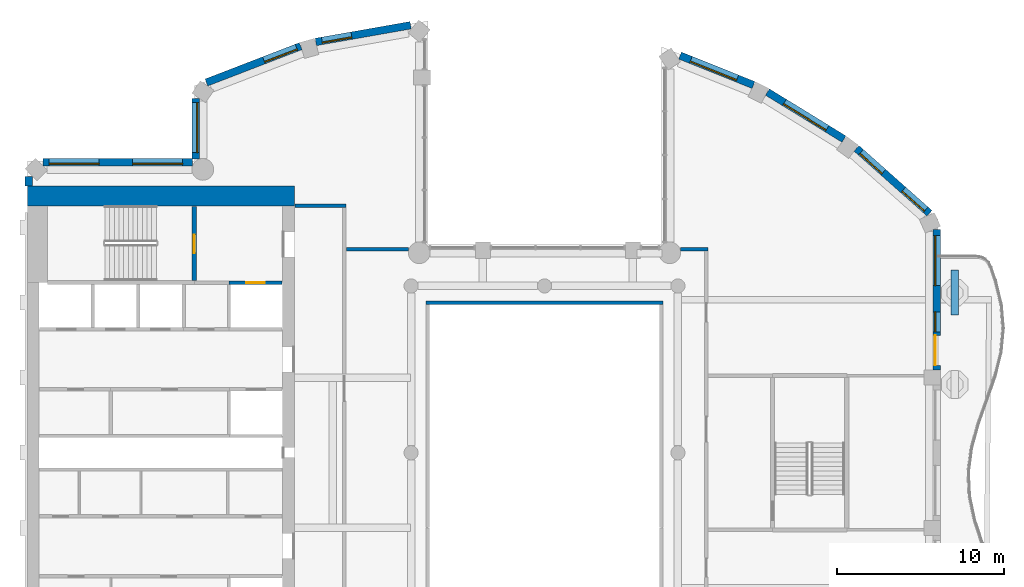
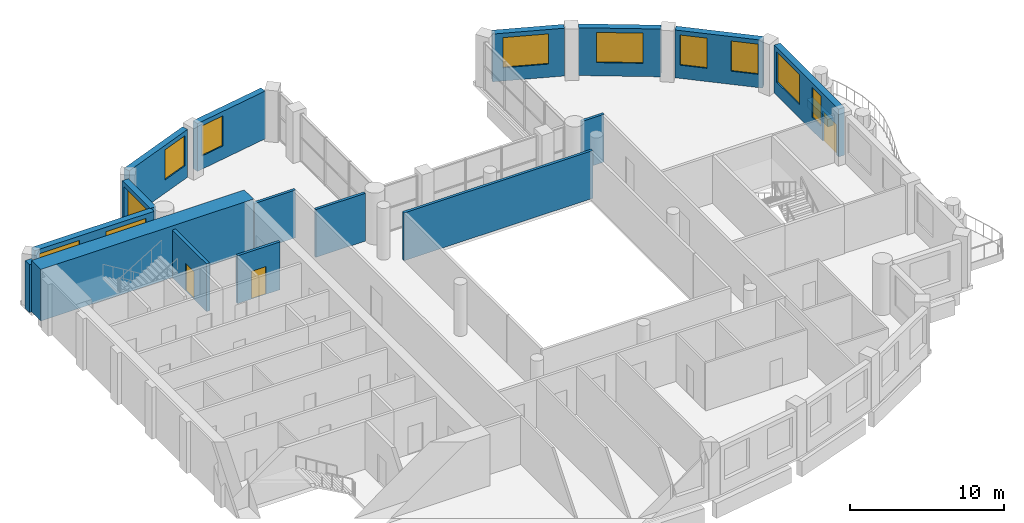
# One storey, part 7 of 14: 17 walls, 11 windows, 3 doors, 14 openings.
"""IFC4 building model written with IfcOpenShell, lengths in metres."""

from ifc_helpers import new_model, si_unit, direction, frame, frame_2d, origin, place, context, subcontext, project, spatial, rectangle, extrude, material, layer, layer_set, type_object, element, fill, save


model = new_model("IFC4")

# Units and contexts
model_context = context("Model", 3, precision=1e-05, world=origin(), true_north=direction((0.0, 1.0)))
body_context = subcontext(model_context, "Body", "Model", "MODEL_VIEW")
ifc_project = project(units=[si_unit("LENGTHUNIT", "METRE"), si_unit("AREAUNIT", "SQUARE_METRE"), si_unit("VOLUMEUNIT", "CUBIC_METRE"), si_unit("PLANEANGLEUNIT", "RADIAN"), si_unit("MASSUNIT", "GRAM", prefix="KILO")], contexts=[model_context])

# Site, building, storey
site_placement = place(None, origin())
site = spatial("IfcSite", under=ifc_project, at=site_placement, CompositionType="ELEMENT")
building_placement = place(site_placement, origin())
building = spatial("IfcBuilding", under=site, at=building_placement, Name="Cypress Arch Tower", CompositionType="ELEMENT")
storey_placement = place(building_placement, frame((0.0, 0.0, 272.10009765625)))
storey = spatial("IfcBuildingStorey", under=building, at=storey_placement, Name="L61", CompositionType="ELEMENT", Elevation=272.10009765625)

# Wall
ifc_material_1 = material(Name="Concrete C40/50, waterproofed", Category="concrete")
ifc_layer_1 = layer(ifc_material_1, 0.449951171875)
ifc_layer_set_1 = layer_set([ifc_layer_1], Name="Balcony planter wall PW450")
wall_type_1 = type_object("IfcWallType", Name="Balcony planter wall PW450", PredefinedType="SOLIDWALL", material=ifc_layer_set_1)
wall_1_placement = place(storey_placement, frame((25.60009765625, 8.25, 0.0), z_axis=(0.0, 0.0, 1.0), x_axis=(0.0, 1.0, 0.0)))
element("IfcWall", 1, at=wall_1_placement, inside=storey, type_object=wall_type_1, Name="Balcony planter wall L61-C17.3", PredefinedType="SOLIDWALL", context=body_context, shape_type="SweptSolid", body=[
    extrude(rectangle(XDim=2.699951171875, YDim=0.449951171875, at=frame_2d((1.35009765625, 0.0))), origin(), (0.0, 0.0, 1.0), 0.599853515625),
])

# Wall, opening, window
ifc_material_2 = material(Name="Brick (red buff blend)", Category="masonry")
ifc_layer_2 = layer(ifc_material_2, 0.449951171875)
ifc_layer_set_2 = layer_set([ifc_layer_2], Name="Brick pier and spandrel wall BW450")
wall_type_2 = type_object("IfcWallType", Name="Brick pier and spandrel wall BW450", PredefinedType="SOLIDWALL", material=ifc_layer_set_2)
wall_2_placement = place(storey_placement, frame((-7.028564453125, 25.63232421875, 0.0), z_axis=(0.0, 0.0, 1.0), x_axis=(-0.984797606634, -0.173705710808, 0.0)))
wall_2 = element("IfcWall", 2, at=wall_2_placement, inside=storey, type_object=wall_type_2, Name="Brick wall L61 C03.0", PredefinedType="SOLIDWALL", context=body_context, shape_type="SweptSolid", body=[
    extrude(rectangle(XDim=5.772216796875, YDim=0.449951171875, at=frame_2d((2.88623046875, 0.0))), origin(), (0.0, 0.0, 1.0), 3.7998046875),
])
opening_1_placement = place(wall_2_placement, frame((3.59326171875, 0.0, 1.050048828125)))
opening_1 = element("IfcOpeningElement", 3, at=opening_1_placement, cuts=wall_2, Name="Opening W180O", PredefinedType="OPENING", context=body_context, shape_type="SweptSolid", body=[
    extrude(rectangle(XDim=1.800048828125, YDim=2.39990234375, at=frame_2d((0.89990234375, 1.199951171875))), frame((0.0, 0.23486328125, 0.0), z_axis=(0.0, -1.0, 0.0), x_axis=(1.0, 0.0, 0.0)), (0.0, 0.0, 1.0), 0.469970703125),
])
ifc_material_3 = material(Name="Anodised aluminium, bronze finish, clear low-emissivity double glazing", Category="aluminium")
window_type_1 = type_object("IfcWindowType", Name="Window Office 1800x2400", PartitioningType="SINGLE_PANEL", PredefinedType="WINDOW", material=ifc_material_3)
window_1_placement = place(opening_1_placement, origin())
window_1 = element("IfcWindow", 4, at=window_1_placement, inside=storey, type_object=window_type_1, Name="Window L61 C03.0.2", OverallHeight=2.39990234375, OverallWidth=1.800048828125, PartitioningType="SINGLE_PANEL", PredefinedType="WINDOW", context=body_context, shape_type="SweptSolid", body=[
    extrude(rectangle(XDim=1.800048828125, YDim=2.39990234375, at=frame_2d((0.89990234375, 1.199951171875))), frame((0.0, 0.135009765625, 0.0), z_axis=(0.0, -1.0, 0.0), x_axis=(1.0, 0.0, 0.0)), (0.0, 0.0, 1.0), 0.06005859375),
])
fill(opening_1, window_1)

wall_3_placement = place(storey_placement, frame((-13.6220703125, 24.376953125, 0.0), z_axis=(0.0, 0.0, 1.0), x_axis=(-0.933129259679, -0.359541075164, 0.0)))
wall_3 = element("IfcWall", 5, at=wall_3_placement, inside=storey, type_object=wall_type_2, Name="Brick wall L61 C04.0", PredefinedType="SOLIDWALL", context=body_context, shape_type="SweptSolid", body=[
    extrude(rectangle(XDim=6.05419921875, YDim=0.449951171875, at=frame_2d((3.027099609375, 0.0))), origin(), (0.0, 0.0, 1.0), 3.7998046875),
])
opening_2_placement = place(wall_3_placement, frame((0.260986328125, 0.0, 1.050048828125)))
opening_2 = element("IfcOpeningElement", 6, at=opening_2_placement, cuts=wall_3, Name="Opening W210O", PredefinedType="OPENING", context=body_context, shape_type="SweptSolid", body=[
    extrude(rectangle(XDim=2.10009765625, YDim=2.39990234375, at=frame_2d((1.050048828125, 1.199951171875))), frame((0.0, 0.23486328125, 0.0), z_axis=(0.0, -1.0, 0.0), x_axis=(1.0, 0.0, 0.0)), (0.0, 0.0, 1.0), 0.469970703125),
])
ifc_material_4 = material(Name="Anodised aluminium, bronze finish, clear low-emissivity double glazing", Category="aluminium")
window_type_2 = type_object("IfcWindowType", Name="Window Office 2100x2400", PartitioningType="SINGLE_PANEL", PredefinedType="WINDOW", material=ifc_material_4)
window_2_placement = place(opening_2_placement, origin())
window_2 = element("IfcWindow", 7, at=window_2_placement, inside=storey, type_object=window_type_2, Name="Window L61 C04.0.1", OverallHeight=2.39990234375, OverallWidth=2.10009765625, PartitioningType="SINGLE_PANEL", PredefinedType="WINDOW", context=body_context, shape_type="SweptSolid", body=[
    extrude(rectangle(XDim=2.10009765625, YDim=2.39990234375, at=frame_2d((1.050048828125, 1.199951171875))), frame((0.0, 0.135009765625, 0.0), z_axis=(0.0, -1.0, 0.0), x_axis=(1.0, 0.0, 0.0)), (0.0, 0.0, 1.0), 0.06005859375),
])
fill(opening_2, window_2)

wall_4_placement = place(storey_placement, frame((-19.925048828125, 21.248291015625, 0.0), z_axis=(0.0, 0.0, 1.0), x_axis=(0.0, -1.0, 0.0)))
wall_4 = element("IfcWall", 8, at=wall_4_placement, inside=storey, type_object=wall_type_2, Name="Brick wall L61 C05.0", PredefinedType="SOLIDWALL", context=body_context, shape_type="SweptSolid", body=[
    extrude(rectangle(XDim=3.646728515625, YDim=0.449951171875, at=frame_2d((1.8232421875, 0.0))), origin(), (0.0, 0.0, 1.0), 3.7998046875),
])
opening_3_placement = place(wall_4_placement, frame((0.251220703125, 0.0, 1.050048828125)))
opening_3 = element("IfcOpeningElement", 9, at=opening_3_placement, cuts=wall_4, Name="Opening W300O", PredefinedType="OPENING", context=body_context, shape_type="SweptSolid", body=[
    extrude(rectangle(XDim=3.0, YDim=2.39990234375, at=frame_2d((1.5, 1.199951171875))), frame((0.0, 0.23486328125, 0.0), z_axis=(0.0, -1.0, 0.0), x_axis=(1.0, 0.0, 0.0)), (0.0, 0.0, 1.0), 0.469970703125),
])
ifc_material_5 = material(Name="Anodised aluminium, bronze finish, clear low-emissivity double glazing", Category="aluminium")
window_type_3 = type_object("IfcWindowType", Name="Window Office 3000x2400", PartitioningType="SINGLE_PANEL", PredefinedType="WINDOW", material=ifc_material_5)
window_3_placement = place(opening_3_placement, origin())
window_3 = element("IfcWindow", 10, at=window_3_placement, inside=storey, type_object=window_type_3, Name="Window L61 C05.0.1", OverallHeight=2.39990234375, OverallWidth=3.0, PartitioningType="SINGLE_PANEL", PredefinedType="WINDOW", context=body_context, shape_type="SweptSolid", body=[
    extrude(rectangle(XDim=3.0, YDim=2.39990234375, at=frame_2d((1.5, 1.199951171875))), frame((0.0, 0.135009765625, 0.0), z_axis=(0.0, -1.0, 0.0), x_axis=(1.0, 0.0, 0.0)), (0.0, 0.0, 1.0), 0.06005859375),
])
fill(opening_3, window_3)

# Wall, openings, windows
wall_5_placement = place(storey_placement, frame((-20.1015625, 17.425048828125, 0.0), z_axis=(0.0, 0.0, 1.0), x_axis=(-1.0, 0.0, 0.0)))
wall_5 = element("IfcWall", 11, at=wall_5_placement, inside=storey, type_object=wall_type_2, Name="Brick wall L61 C06.0", PredefinedType="SOLIDWALL", context=body_context, shape_type="SweptSolid", body=[
    extrude(rectangle(XDim=8.962158203125, YDim=0.449951171875, at=frame_2d((4.48095703125, 0.0))), origin(), (0.0, 0.0, 1.0), 3.7998046875),
])
opening_4_placement = place(wall_5_placement, frame((0.598388671875, 0.0, 1.050048828125)))
opening_4 = element("IfcOpeningElement", 12, at=opening_4_placement, cuts=wall_5, Name="Opening W300O", PredefinedType="OPENING", context=body_context, shape_type="SweptSolid", body=[
    extrude(rectangle(XDim=3.0, YDim=2.39990234375, at=frame_2d((1.5, 1.199951171875))), frame((0.0, 0.23486328125, 0.0), z_axis=(0.0, -1.0, 0.0), x_axis=(1.0, 0.0, 0.0)), (0.0, 0.0, 1.0), 0.469970703125),
])
opening_5_placement = place(wall_5_placement, frame((5.598388671875, 0.0, 1.050048828125)))
opening_5 = element("IfcOpeningElement", 13, at=opening_5_placement, cuts=wall_5, Name="Opening W300O", PredefinedType="OPENING", context=body_context, shape_type="SweptSolid", body=[
    extrude(rectangle(XDim=3.0, YDim=2.39990234375, at=frame_2d((1.5, 1.199951171875))), frame((0.0, 0.23486328125, 0.0), z_axis=(0.0, -1.0, 0.0), x_axis=(1.0, 0.0, 0.0)), (0.0, 0.0, 1.0), 0.469970703125),
])
window_4_placement = place(opening_4_placement, origin())
window_4 = element("IfcWindow", 14, at=window_4_placement, inside=storey, type_object=window_type_3, Name="Window L61 C06.0.1", OverallHeight=2.39990234375, OverallWidth=3.0, PartitioningType="SINGLE_PANEL", PredefinedType="WINDOW", context=body_context, shape_type="SweptSolid", body=[
    extrude(rectangle(XDim=3.0, YDim=2.39990234375, at=frame_2d((1.5, 1.199951171875))), frame((0.0, 0.135009765625, 0.0), z_axis=(0.0, -1.0, 0.0), x_axis=(1.0, 0.0, 0.0)), (0.0, 0.0, 1.0), 0.06005859375),
])
fill(opening_4, window_4)
window_5_placement = place(opening_5_placement, origin())
window_5 = element("IfcWindow", 15, at=window_5_placement, inside=storey, type_object=window_type_3, Name="Window L61 C06.0.2", OverallHeight=2.39990234375, OverallWidth=3.0, PartitioningType="SINGLE_PANEL", PredefinedType="WINDOW", context=body_context, shape_type="SweptSolid", body=[
    extrude(rectangle(XDim=3.0, YDim=2.39990234375, at=frame_2d((1.5, 1.199951171875))), frame((0.0, 0.135009765625, 0.0), z_axis=(0.0, -1.0, 0.0), x_axis=(1.0, 0.0, 0.0)), (0.0, 0.0, 1.0), 0.06005859375),
])
fill(opening_5, window_5)

# Wall
wall_6_placement = place(storey_placement, frame((-29.925048828125, 16.563720703125, 0.0), z_axis=(0.0, 0.0, 1.0), x_axis=(0.0, -1.0, 0.0)))
element("IfcWall", 16, at=wall_6_placement, inside=storey, type_object=wall_type_2, Name="Brick wall L61 C07.0", PredefinedType="SOLIDWALL", context=body_context, shape_type="SweptSolid", body=[
    extrude(rectangle(XDim=0.563720703125, YDim=0.449951171875, at=frame_2d((0.28173828125, 0.0))), origin(), (0.0, 0.0, 1.0), 3.7998046875),
])

# Wall, openings, door, windows
wall_7_placement = place(storey_placement, frame((24.52490234375, 4.949951171875, 0.0), z_axis=(0.0, 0.0, 1.0), x_axis=(0.0, 1.0, 0.0)))
wall_7 = element("IfcWall", 17, at=wall_7_placement, inside=storey, type_object=wall_type_2, Name="Brick wall L61 C17.2", PredefinedType="SOLIDWALL", context=body_context, shape_type="SweptSolid", body=[
    extrude(rectangle(XDim=8.421875, YDim=0.449951171875, at=frame_2d((4.2109375, 0.0))), origin(), (0.0, 0.0, 1.0), 3.7998046875),
])
opening_6_placement = place(wall_7_placement, frame((0.291259765625, 0.0, 0.0)))
opening_6 = element("IfcOpeningElement", 18, at=opening_6_placement, cuts=wall_7, Name="Opening D-L61-C17.2.1", PredefinedType="OPENING", context=body_context, shape_type="SweptSolid", body=[
    extrude(rectangle(XDim=1.800048828125, YDim=2.39990234375, at=frame_2d((0.89990234375, 1.199951171875))), frame((0.0, 0.23486328125, 0.0), z_axis=(0.0, -1.0, 0.0), x_axis=(1.0, 0.0, 0.0)), (0.0, 0.0, 1.0), 0.469970703125),
])
opening_7_placement = place(wall_7_placement, frame((2.291259765625, 0.0, 1.050048828125)))
opening_7 = element("IfcOpeningElement", 19, at=opening_7_placement, cuts=wall_7, Name="Opening W120OD", PredefinedType="OPENING", context=body_context, shape_type="SweptSolid", body=[
    extrude(rectangle(XDim=1.199951171875, YDim=2.39990234375, at=frame_2d((0.60009765625, 1.199951171875))), frame((0.0, 0.23486328125, 0.0), z_axis=(0.0, -1.0, 0.0), x_axis=(1.0, 0.0, 0.0)), (0.0, 0.0, 1.0), 0.469970703125),
])
opening_8_placement = place(wall_7_placement, frame((5.073974609375, 0.0, 1.050048828125)))
opening_8 = element("IfcOpeningElement", 20, at=opening_8_placement, cuts=wall_7, Name="Opening W300OD", PredefinedType="OPENING", context=body_context, shape_type="SweptSolid", body=[
    extrude(rectangle(XDim=3.0, YDim=2.39990234375, at=frame_2d((1.5, 1.199951171875))), frame((0.0, 0.23486328125, 0.0), z_axis=(0.0, -1.0, 0.0), x_axis=(1.0, 0.0, 0.0)), (0.0, 0.0, 1.0), 0.469970703125),
])
ifc_material_6 = material(Name="Anodised aluminium, bronze finish, laminated low-emissivity double glazing, large-missile impact rated", Category="aluminium")
door_type_1 = type_object("IfcDoorType", Name="Balcony sliding door 1800x2400", OperationType="SLIDING_TO_LEFT", PredefinedType="DOOR", material=ifc_material_6)
door_1_placement = place(opening_6_placement, origin())
door_1 = element("IfcDoor", 21, at=door_1_placement, inside=storey, type_object=door_type_1, Name="Balcony door L61 C17.2.1", OperationType="SLIDING_TO_LEFT", OverallHeight=2.39990234375, OverallWidth=1.800048828125, PredefinedType="DOOR", context=body_context, shape_type="SweptSolid", body=[
    extrude(rectangle(XDim=1.800048828125, YDim=2.39990234375, at=frame_2d((0.89990234375, 1.199951171875))), frame((0.0, 0.1298828125, 0.0), z_axis=(0.0, -1.0, 0.0), x_axis=(1.0, 0.0, 0.0)), (0.0, 0.0, 1.0), 0.050048828125),
])
fill(opening_6, door_1)
ifc_material_7 = material(Name="Anodised aluminium, bronze finish, laminated low-emissivity double glazing, large-missile impact rated", Category="aluminium")
window_type_4 = type_object("IfcWindowType", Name="Window Office 1200x2400 debris-rated", PartitioningType="SINGLE_PANEL", PredefinedType="WINDOW", material=ifc_material_7)
window_6_placement = place(opening_7_placement, origin())
window_6 = element("IfcWindow", 22, at=window_6_placement, inside=storey, type_object=window_type_4, Name="Window L61 C17.2.1", OverallHeight=2.39990234375, OverallWidth=1.199951171875, PartitioningType="SINGLE_PANEL", PredefinedType="WINDOW", context=body_context, shape_type="SweptSolid", body=[
    extrude(rectangle(XDim=1.199951171875, YDim=2.39990234375, at=frame_2d((0.60009765625, 1.199951171875))), frame((0.0, 0.135009765625, 0.0), z_axis=(0.0, -1.0, 0.0), x_axis=(1.0, 0.0, 0.0)), (0.0, 0.0, 1.0), 0.06005859375),
])
fill(opening_7, window_6)
ifc_material_8 = material(Name="Anodised aluminium, bronze finish, laminated low-emissivity double glazing, large-missile impact rated", Category="aluminium")
window_type_5 = type_object("IfcWindowType", Name="Window Office 3000x2400 debris-rated", PartitioningType="SINGLE_PANEL", PredefinedType="WINDOW", material=ifc_material_8)
window_7_placement = place(opening_8_placement, origin())
window_7 = element("IfcWindow", 23, at=window_7_placement, inside=storey, type_object=window_type_5, Name="Window L61 C17.2.2", OverallHeight=2.39990234375, OverallWidth=3.0, PartitioningType="SINGLE_PANEL", PredefinedType="WINDOW", context=body_context, shape_type="SweptSolid", body=[
    extrude(rectangle(XDim=3.0, YDim=2.39990234375, at=frame_2d((1.5, 1.199951171875))), frame((0.0, 0.135009765625, 0.0), z_axis=(0.0, -1.0, 0.0), x_axis=(1.0, 0.0, 0.0)), (0.0, 0.0, 1.0), 0.06005859375),
])
fill(opening_8, window_7)

# Wall, openings, windows
wall_8_placement = place(storey_placement, frame((24.08056640625, 14.361083984375, 0.0), z_axis=(0.0, 0.0, 1.0), x_axis=(-0.747570482973, 0.664182484704, 0.0)))
wall_8 = element("IfcWall", 24, at=wall_8_placement, inside=storey, type_object=wall_type_2, Name="Brick wall L61 C18.0", PredefinedType="SOLIDWALL", context=body_context, shape_type="SweptSolid", body=[
    extrude(rectangle(XDim=5.849609375, YDim=0.449951171875, at=frame_2d((2.9248046875, 0.0))), origin(), (0.0, 0.0, 1.0), 3.7998046875),
])
opening_9_placement = place(wall_8_placement, frame((0.305419921875, 0.0, 1.050048828125)))
opening_9 = element("IfcOpeningElement", 25, at=opening_9_placement, cuts=wall_8, Name="Opening W180O", PredefinedType="OPENING", context=body_context, shape_type="SweptSolid", body=[
    extrude(rectangle(XDim=1.800048828125, YDim=2.39990234375, at=frame_2d((0.89990234375, 1.199951171875))), frame((0.0, 0.23486328125, 0.0), z_axis=(0.0, -1.0, 0.0), x_axis=(1.0, 0.0, 0.0)), (0.0, 0.0, 1.0), 0.469970703125),
])
opening_10_placement = place(wall_8_placement, frame((3.702880859375, 0.0, 1.050048828125)))
opening_10 = element("IfcOpeningElement", 26, at=opening_10_placement, cuts=wall_8, Name="Opening W180O", PredefinedType="OPENING", context=body_context, shape_type="SweptSolid", body=[
    extrude(rectangle(XDim=1.800048828125, YDim=2.39990234375, at=frame_2d((0.89990234375, 1.199951171875))), frame((0.0, 0.23486328125, 0.0), z_axis=(0.0, -1.0, 0.0), x_axis=(1.0, 0.0, 0.0)), (0.0, 0.0, 1.0), 0.469970703125),
])
window_8_placement = place(opening_9_placement, origin())
window_8 = element("IfcWindow", 27, at=window_8_placement, inside=storey, type_object=window_type_1, Name="Window L61 C18.0.1", OverallHeight=2.39990234375, OverallWidth=1.800048828125, PartitioningType="SINGLE_PANEL", PredefinedType="WINDOW", context=body_context, shape_type="SweptSolid", body=[
    extrude(rectangle(XDim=1.800048828125, YDim=2.39990234375, at=frame_2d((0.89990234375, 1.199951171875))), frame((0.0, 0.135009765625, 0.0), z_axis=(0.0, -1.0, 0.0), x_axis=(1.0, 0.0, 0.0)), (0.0, 0.0, 1.0), 0.06005859375),
])
fill(opening_9, window_8)
window_9_placement = place(opening_10_placement, origin())
window_9 = element("IfcWindow", 28, at=window_9_placement, inside=storey, type_object=window_type_1, Name="Window L61 C18.0.2", OverallHeight=2.39990234375, OverallWidth=1.800048828125, PartitioningType="SINGLE_PANEL", PredefinedType="WINDOW", context=body_context, shape_type="SweptSolid", body=[
    extrude(rectangle(XDim=1.800048828125, YDim=2.39990234375, at=frame_2d((0.89990234375, 1.199951171875))), frame((0.0, 0.135009765625, 0.0), z_axis=(0.0, -1.0, 0.0), x_axis=(1.0, 0.0, 0.0)), (0.0, 0.0, 1.0), 0.06005859375),
])
fill(opening_10, window_9)

# Wall, opening, window
wall_9_placement = place(storey_placement, frame((18.953369140625, 18.806396484375, 0.0), z_axis=(0.0, 0.0, 1.0), x_axis=(-0.851860664503, 0.523768468193, 0.0)))
wall_9 = element("IfcWall", 29, at=wall_9_placement, inside=storey, type_object=wall_type_2, Name="Brick wall L61 C19.0", PredefinedType="SOLIDWALL", context=body_context, shape_type="SweptSolid", body=[
    extrude(rectangle(XDim=5.3837890625, YDim=0.449951171875, at=frame_2d((2.69189453125, 0.0))), origin(), (0.0, 0.0, 1.0), 3.7998046875),
])
opening_11_placement = place(wall_9_placement, frame((1.19189453125, 0.0, 1.050048828125)))
opening_11 = element("IfcOpeningElement", 30, at=opening_11_placement, cuts=wall_9, Name="Opening W300O", PredefinedType="OPENING", context=body_context, shape_type="SweptSolid", body=[
    extrude(rectangle(XDim=3.0, YDim=2.39990234375, at=frame_2d((1.5, 1.199951171875))), frame((0.0, 0.23486328125, 0.0), z_axis=(0.0, -1.0, 0.0), x_axis=(1.0, 0.0, 0.0)), (0.0, 0.0, 1.0), 0.469970703125),
])
window_10_placement = place(opening_11_placement, origin())
window_10 = element("IfcWindow", 31, at=window_10_placement, inside=storey, type_object=window_type_3, Name="Window L61 C19.0.1", OverallHeight=2.39990234375, OverallWidth=3.0, PartitioningType="SINGLE_PANEL", PredefinedType="WINDOW", context=body_context, shape_type="SweptSolid", body=[
    extrude(rectangle(XDim=3.0, YDim=2.39990234375, at=frame_2d((1.5, 1.199951171875))), frame((0.0, 0.135009765625, 0.0), z_axis=(0.0, -1.0, 0.0), x_axis=(1.0, 0.0, 0.0)), (0.0, 0.0, 1.0), 0.06005859375),
])
fill(opening_11, window_10)

wall_10_placement = place(storey_placement, frame((13.529296875, 22.04833984375, 0.0), z_axis=(0.0, 0.0, 1.0), x_axis=(-0.927957332619, 0.372686448424, 0.0)))
wall_10 = element("IfcWall", 32, at=wall_10_placement, inside=storey, type_object=wall_type_2, Name="Brick wall L61 C20.0", PredefinedType="SOLIDWALL", context=body_context, shape_type="SweptSolid", body=[
    extrude(rectangle(XDim=4.741455078125, YDim=0.449951171875, at=frame_2d((2.37060546875, 0.0))), origin(), (0.0, 0.0, 1.0), 3.7998046875),
])
opening_12_placement = place(wall_10_placement, frame((1.046630859375, 0.0, 1.050048828125)))
opening_12 = element("IfcOpeningElement", 33, at=opening_12_placement, cuts=wall_10, Name="Opening W300O", PredefinedType="OPENING", context=body_context, shape_type="SweptSolid", body=[
    extrude(rectangle(XDim=3.0, YDim=2.39990234375, at=frame_2d((1.5, 1.199951171875))), frame((0.0, 0.23486328125, 0.0), z_axis=(0.0, -1.0, 0.0), x_axis=(1.0, 0.0, 0.0)), (0.0, 0.0, 1.0), 0.469970703125),
])
window_11_placement = place(opening_12_placement, origin())
window_11 = element("IfcWindow", 34, at=window_11_placement, inside=storey, type_object=window_type_3, Name="Window L61 C20.0.1", OverallHeight=2.39990234375, OverallWidth=3.0, PartitioningType="SINGLE_PANEL", PredefinedType="WINDOW", context=body_context, shape_type="SweptSolid", body=[
    extrude(rectangle(XDim=3.0, YDim=2.39990234375, at=frame_2d((1.5, 1.199951171875))), frame((0.0, 0.135009765625, 0.0), z_axis=(0.0, -1.0, 0.0), x_axis=(1.0, 0.0, 0.0)), (0.0, 0.0, 1.0), 0.06005859375),
])
fill(opening_12, window_11)

# Walls
ifc_material_9 = material(Name="Concrete C60/75", Category="concrete")
ifc_layer_3 = layer(ifc_material_9, 1.199951171875)
ifc_layer_set_3 = layer_set([ifc_layer_3], Name="Core wall CW1200 C60/75")
wall_type_3 = type_object("IfcWallType", Name="Core wall CW1200 C60/75", PredefinedType="SHEAR", material=ifc_layer_set_3)
wall_11_placement = place(storey_placement, frame((-30.0, 15.39990234375, 0.0), z_axis=(0.0, 0.0, 1.0), x_axis=(1.0, 0.0, 0.0)))
element("IfcWall", 35, at=wall_11_placement, inside=storey, type_object=wall_type_3, Name="Core wall", PredefinedType="SHEAR", context=body_context, shape_type="SweptSolid", body=[
    extrude(rectangle(XDim=16.0, YDim=1.199951171875, at=frame_2d((8.0, 0.0))), origin(), (0.0, 0.0, 1.0), 4.099853515625),
])
ifc_material_10 = material(Name="Concrete blockwork, plastered, rated", Category="masonry")
ifc_layer_4 = layer(ifc_material_10, 0.199951171875)
ifc_layer_set_4 = layer_set([ifc_layer_4], Name="Corridor wall FW200")
wall_type_4 = type_object("IfcWallType", Name="Corridor wall FW200", PredefinedType="PARTITIONING", material=ifc_layer_set_4)
wall_12_placement = place(storey_placement, frame((-13.969970703125, 14.800048828125, 0.0), z_axis=(0.0, 0.0, 1.0), x_axis=(1.0, 0.0, 0.0)))
element("IfcWall", 36, at=wall_12_placement, inside=storey, type_object=wall_type_4, Name="Corridor wall", PredefinedType="PARTITIONING", context=body_context, shape_type="SweptSolid", body=[
    extrude(rectangle(XDim=3.070068359375, YDim=0.199951171875, at=frame_2d((1.53515625, 0.0))), origin(), (0.0, 0.0, 1.0), 3.7998046875),
])
wall_13_placement = place(storey_placement, frame((-10.8798828125, 12.199951171875, 0.0), z_axis=(0.0, 0.0, 1.0), x_axis=(1.0, 0.0, 0.0)))
element("IfcWall", 37, at=wall_13_placement, inside=storey, type_object=wall_type_4, Name="Corridor wall", PredefinedType="PARTITIONING", context=body_context, shape_type="SweptSolid", body=[
    extrude(rectangle(XDim=3.736083984375, YDim=0.199951171875, at=frame_2d((1.8681640625, 0.0))), origin(), (0.0, 0.0, 1.0), 3.7998046875),
])
wall_14_placement = place(storey_placement, frame((-6.10009765625, 9.0, 0.0), z_axis=(0.0, 0.0, 1.0), x_axis=(1.0, 0.0, 0.0)))
element("IfcWall", 38, at=wall_14_placement, inside=storey, type_object=wall_type_4, Name="Corridor wall", PredefinedType="PARTITIONING", context=body_context, shape_type="SweptSolid", body=[
    extrude(rectangle(XDim=14.2001953125, YDim=0.199951171875, at=frame_2d((7.10009765625, 0.0))), origin(), (0.0, 0.0, 1.0), 3.7998046875),
])
wall_15_placement = place(storey_placement, frame((9.143798828125, 12.199951171875, 0.0), z_axis=(0.0, 0.0, 1.0), x_axis=(1.0, 0.0, 0.0)))
element("IfcWall", 39, at=wall_15_placement, inside=storey, type_object=wall_type_4, Name="Corridor wall", PredefinedType="PARTITIONING", context=body_context, shape_type="SweptSolid", body=[
    extrude(rectangle(XDim=1.65625, YDim=0.199951171875, at=frame_2d((0.828125, 0.0))), origin(), (0.0, 0.0, 1.0), 3.7998046875),
])

# Wall, opening, door
ifc_material_11 = material(Name="Concrete C50/60", Category="concrete")
ifc_layer_5 = layer(ifc_material_11, 0.199951171875)
ifc_layer_set_5 = layer_set([ifc_layer_5], Name="Shaft wall SH200")
wall_type_5 = type_object("IfcWallType", Name="Shaft wall SH200", PredefinedType="SHEAR", material=ifc_layer_set_5)
wall_16_placement = place(storey_placement, frame((-17.919921875, 10.199951171875, 0.0), z_axis=(0.0, 0.0, 1.0), x_axis=(1.0, 0.0, 0.0)))
wall_16 = element("IfcWall", 40, at=wall_16_placement, inside=storey, type_object=wall_type_5, Name="Shaft wall", PredefinedType="SHEAR", context=body_context, shape_type="SweptSolid", body=[
    extrude(rectangle(XDim=3.18994140625, YDim=0.199951171875, at=frame_2d((1.594970703125, 0.0))), origin(), (0.0, 0.0, 1.0), 3.7998046875),
])
opening_13_placement = place(wall_16_placement, frame((1.050048828125, 0.0, 0.0)))
opening_13 = element("IfcOpeningElement", 41, at=opening_13_placement, cuts=wall_16, Name="Opening LD-FL2", PredefinedType="OPENING", context=body_context, shape_type="SweptSolid", body=[
    extrude(rectangle(XDim=1.10009765625, YDim=2.199951171875, at=frame_2d((0.550048828125, 1.10009765625))), frame((0.0, 0.10986328125, 0.0), z_axis=(0.0, -1.0, 0.0), x_axis=(1.0, 0.0, 0.0)), (0.0, 0.0, 1.0), 0.219970703125),
])
ifc_material_12 = material(Name="Stainless steel centre-opening landing door, rated", Category="steel")
door_type_2 = type_object("IfcDoorType", Name="Lift landing door LD 1100x2200", OperationType="DOUBLE_DOOR_SLIDING", PredefinedType="DOOR", material=ifc_material_12)
door_2_placement = place(opening_13_placement, origin())
door_2 = element("IfcDoor", 42, at=door_2_placement, inside=storey, type_object=door_type_2, Name="Lift landing doors FL2", OperationType="DOUBLE_DOOR_SLIDING", OverallHeight=2.199951171875, OverallWidth=1.10009765625, PredefinedType="DOOR", context=body_context, shape_type="SweptSolid", body=[
    extrude(rectangle(XDim=1.10009765625, YDim=2.199951171875, at=frame_2d((0.550048828125, 1.10009765625))), frame((0.0, 0.02490234375, 0.0), z_axis=(0.0, -1.0, 0.0), x_axis=(1.0, 0.0, 0.0)), (0.0, 0.0, 1.0), 0.050048828125),
])
fill(opening_13, door_2)

ifc_material_13 = material(Name="Concrete C50/60", Category="concrete")
ifc_layer_6 = layer(ifc_material_13, 0.25)
ifc_layer_set_6 = layer_set([ifc_layer_6], Name="Stair enclosure wall SW250")
wall_type_6 = type_object("IfcWallType", Name="Stair enclosure wall SW250", PredefinedType="SHEAR", material=ifc_layer_set_6)
wall_17_placement = place(storey_placement, frame((-20.0, 10.324951171875, 0.0), z_axis=(0.0, 0.0, 1.0), x_axis=(0.0, 1.0, 0.0)))
wall_17 = element("IfcWall", 43, at=wall_17_placement, inside=storey, type_object=wall_type_6, Name="Stair enclosure wall", PredefinedType="SHEAR", context=body_context, shape_type="SweptSolid", body=[
    extrude(rectangle(XDim=4.445068359375, YDim=0.25, at=frame_2d((2.22265625, 0.0))), origin(), (0.0, 0.0, 1.0), 3.7998046875),
])
opening_14_placement = place(wall_17_placement, frame((1.64990234375, 0.0, 0.0)))
opening_14 = element("IfcOpeningElement", 44, at=opening_14_placement, cuts=wall_17, Name="Opening D06", PredefinedType="OPENING", context=body_context, shape_type="SweptSolid", body=[
    extrude(rectangle(XDim=1.10009765625, YDim=2.199951171875, at=frame_2d((0.550048828125, 1.10009765625))), frame((0.0, 0.135009765625, 0.0), z_axis=(0.0, -1.0, 0.0), x_axis=(1.0, 0.0, 0.0)), (0.0, 0.0, 1.0), 0.27001953125),
])
ifc_material_14 = material(Name="Steel door, fire resisting, panic bar", Category="steel")
door_type_3 = type_object("IfcDoorType", Name="Stair door D06 1100x2200", OperationType="SINGLE_SWING_LEFT", PredefinedType="DOOR", material=ifc_material_14)
door_3_placement = place(opening_14_placement, origin())
door_3 = element("IfcDoor", 45, at=door_3_placement, inside=storey, type_object=door_type_3, Name="Stair door", OperationType="SINGLE_SWING_LEFT", OverallHeight=2.199951171875, OverallWidth=1.10009765625, PredefinedType="DOOR", context=body_context, shape_type="SweptSolid", body=[
    extrude(rectangle(XDim=1.10009765625, YDim=2.199951171875, at=frame_2d((0.550048828125, 1.10009765625))), frame((0.0, 0.02490234375, 0.0), z_axis=(0.0, -1.0, 0.0), x_axis=(1.0, 0.0, 0.0)), (0.0, 0.0, 1.0), 0.050048828125),
])
fill(opening_14, door_3)

save(model, "model.ifc")
